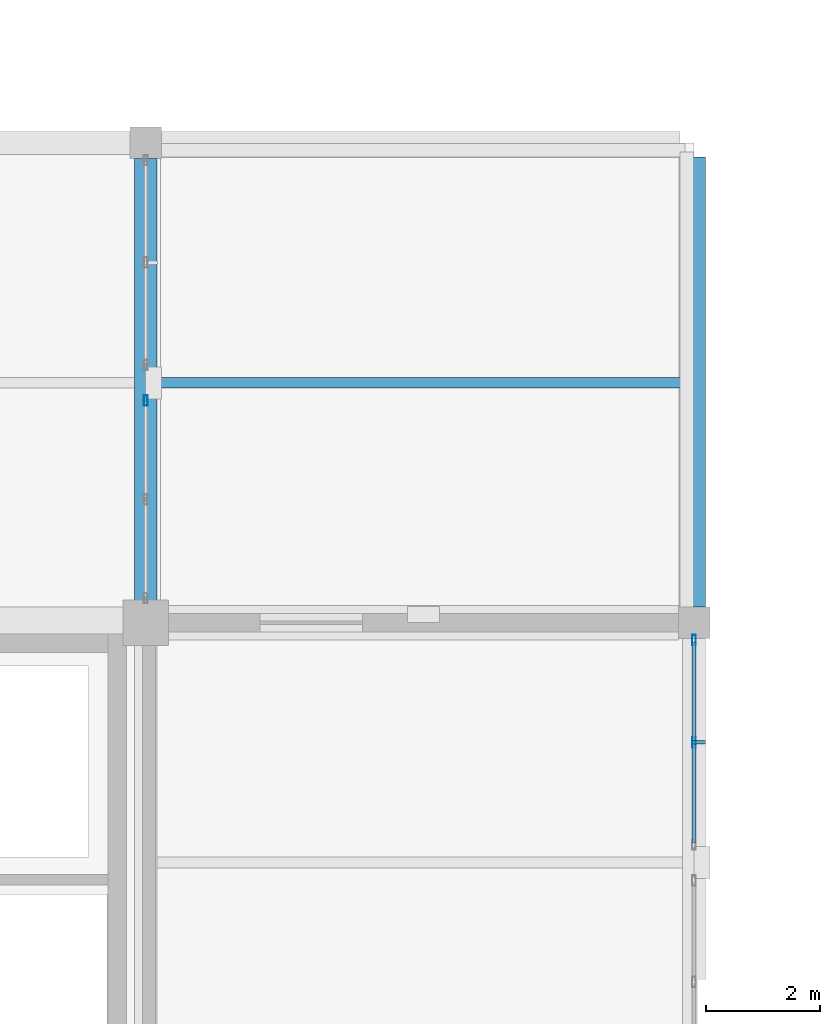
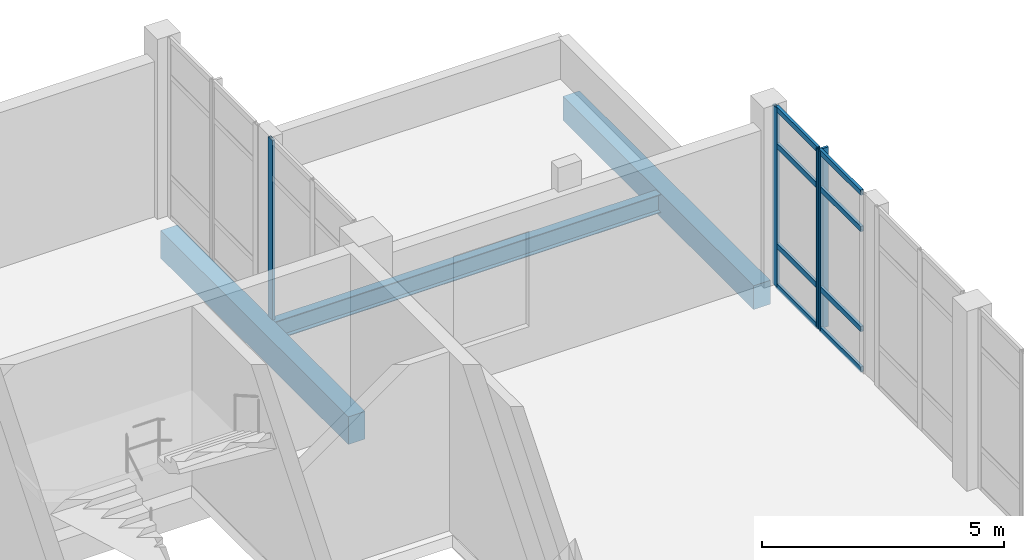
# One storey, part 71 of 102: 12 members, 3 beams, 2 elements without a shape of their own.
"""IFC4 building model written with IfcOpenShell, lengths in metres."""

from ifc_helpers import new_model, si_unit, direction, frame, origin, origin_2d, place, context, subcontext, project, spatial, rectangle, hollow_rectangle, i_section, extrude, material, layer, layer_set, material_profile, profile_set, type_object, element, aggregate, save


model = new_model("IFC4")

# Units and contexts
model_context = context("Model", 3, precision=1e-05, world=origin(), true_north=direction((0.0, 1.0)))
body_context = subcontext(model_context, "Body", "Model", "MODEL_VIEW")
ifc_project = project(units=[si_unit("LENGTHUNIT", "METRE"), si_unit("AREAUNIT", "SQUARE_METRE"), si_unit("VOLUMEUNIT", "CUBIC_METRE"), si_unit("PLANEANGLEUNIT", "RADIAN"), si_unit("MASSUNIT", "GRAM", prefix="KILO")], contexts=[model_context])

# Site, building, storey
site_placement = place(None, origin())
site = spatial("IfcSite", under=ifc_project, at=site_placement, CompositionType="ELEMENT")
building_placement = place(site_placement, origin())
building = spatial("IfcBuilding", under=site, at=building_placement, Name="Lornevale Opera House", CompositionType="ELEMENT")
storey_placement = place(building_placement, frame((0.0, 0.0, 5.39990234375)))
storey = spatial("IfcBuildingStorey", under=building, at=storey_placement, Name="L02", CompositionType="ELEMENT", Elevation=5.39990234375)

# Beams
ifc_material_1 = material(Name="Concrete 35 MPa (CSA A23.1 N)", Category="concrete")
ifc_material_profile_1 = material_profile(ifc_material_1, rectangle(XDim=0.39990234375, YDim=0.699951171875, at=origin_2d()), Name="RC400x700")
ifc_profile_set_1 = profile_set([ifc_material_profile_1], Name="Concrete 35 MPa (CSA A23.1 N)")
beam_type_1 = type_object("IfcBeamType", Name="Concrete Floor Beam 400x700", PredefinedType="USERDEFINED", material=ifc_profile_set_1)
beam_1_placement = place(storey_placement, frame((144.0, 75.97509765625, -0.64990234375), z_axis=(0.0, 1.0, 0.0), x_axis=(-1.0, 0.0, 0.0)))
element("IfcBeam", 1, at=beam_1_placement, inside=storey, type_object=beam_type_1, Name="Concrete Floor Beam 400x700 1968", ObjectType="GIRDER", PredefinedType="USERDEFINED", context=body_context, shape_type="SweptSolid", body=[
    extrude(rectangle(XDim=0.39990234375, YDim=0.699951171875, at=origin_2d()), origin(), (0.0, 0.0, 1.0), 7.75),
])
ifc_material_profile_2 = material_profile(ifc_material_1, rectangle(XDim=0.39990234375, YDim=0.60009765625, at=origin_2d()), Name="RC400x600")
ifc_profile_set_2 = profile_set([ifc_material_profile_2], Name="Concrete 35 MPa (CSA A23.1 N)")
beam_type_2 = type_object("IfcBeamType", Name="Concrete Spandrel Beam 400x600", PredefinedType="SPANDREL", material=ifc_profile_set_2)
beam_2_placement = place(storey_placement, frame((153.60009765625, 75.875, -0.599853515625), z_axis=(0.0, 1.0, 0.0), x_axis=(-1.0, 0.0, 0.0)))
element("IfcBeam", 2, at=beam_2_placement, inside=storey, type_object=beam_type_2, Name="Concrete Spandrel Beam 400x600 1977", PredefinedType="SPANDREL", context=body_context, shape_type="SweptSolid", body=[
    extrude(rectangle(XDim=0.39990234375, YDim=0.60009765625, at=origin_2d()), origin(), (0.0, 0.0, 1.0), 7.875),
])

# Curtain wall, member
ifc_material_2 = material(Name="Anodized Oxide-Green Aluminium Framing", Category="aluminium")
ifc_layer = layer(ifc_material_2, 0.179931640625)
ifc_layer_set = layer_set([ifc_layer], Name="Anodized Oxide-Green Aluminium Framing")
curtain_wall_type = type_object("IfcCurtainWallType", Name="Promenade Gallery Curtain Wall M1800", PredefinedType="NOTDEFINED", material=ifc_layer_set)
curtain_wall_1_placement = place(storey_placement, origin())
curtain_wall_1 = element("IfcCurtainWall", 3, at=curtain_wall_1_placement, inside=storey, type_object=curtain_wall_type, Name="Promenade Gallery Curtain Wall M1800 CW-079", PredefinedType="NOTDEFINED")
ifc_material_profile_3 = material_profile(ifc_material_2, hollow_rectangle(XDim=0.06494140625, YDim=0.179931640625, WallThickness=0.0048828125, at=origin_2d()), Name="ALU65x180x5")
ifc_profile_set_3 = profile_set([ifc_material_profile_3], Name="Anodized Oxide-Green Aluminium Framing")
member_type_1 = type_object("IfcMemberType", Name="Curtain Wall Mullion 65x180", PredefinedType="MULLION", material=ifc_profile_set_3)
member_1_placement = place(storey_placement, frame((144.0, 79.487548828125, 0.0), z_axis=(0.0, 0.0, 1.0), x_axis=(1.0, 0.0, 0.0)))
member_1 = element("IfcMember", 4, at=member_1_placement, type_object=member_type_1, Name="Curtain Wall Mullion 65x180 CW1599", PredefinedType="MULLION", context=body_context, shape_type="SweptSolid", body=[
    extrude(hollow_rectangle(XDim=0.06494140625, YDim=0.179931640625, WallThickness=0.0048828125, at=origin_2d()), origin(), (0.0, 0.0, 1.0), 4.52001953125),
])
aggregate(curtain_wall_1, [member_1])

# Curtain wall, members
curtain_wall_2_placement = place(storey_placement, origin())
curtain_wall_2 = element("IfcCurtainWall", 5, at=curtain_wall_2_placement, inside=storey, type_object=curtain_wall_type, Name="Promenade Gallery Curtain Wall M1800 CW-090", PredefinedType="NOTDEFINED")
member_2_placement = place(storey_placement, frame((153.60009765625, 75.29638671875, 0.0), z_axis=(0.0, 0.0, 1.0), x_axis=(1.0, 0.0, 0.0)))
member_2 = element("IfcMember", 6, at=member_2_placement, type_object=member_type_1, Name="Curtain Wall Mullion 65x180 CW1786", PredefinedType="MULLION", context=body_context, shape_type="SweptSolid", body=[
    extrude(hollow_rectangle(XDim=0.06494140625, YDim=0.179931640625, WallThickness=0.0048828125, at=origin_2d()), origin(), (0.0, 0.0, 1.0), 4.52001953125),
])
member_3_placement = place(storey_placement, frame((153.60009765625, 73.50439453125, 0.0), z_axis=(0.0, 0.0, 1.0), x_axis=(1.0, 0.0, 0.0)))
member_3 = element("IfcMember", 7, at=member_3_placement, type_object=member_type_1, Name="Curtain Wall Mullion 65x180 CW1787", PredefinedType="MULLION", context=body_context, shape_type="SweptSolid", body=[
    extrude(hollow_rectangle(XDim=0.06494140625, YDim=0.179931640625, WallThickness=0.0048828125, at=origin_2d()), origin(), (0.0, 0.0, 1.0), 4.52001953125),
])
ifc_material_profile_4 = material_profile(ifc_material_2, hollow_rectangle(XDim=0.06494140625, YDim=0.135009765625, WallThickness=0.00390625, at=origin_2d()), Name="ALU65x135x4")
ifc_profile_set_4 = profile_set([ifc_material_profile_4], Name="Anodized Oxide-Green Aluminium Framing")
member_type_2 = type_object("IfcMemberType", Name="Curtain Wall Transom 65x135", PredefinedType="USERDEFINED", material=ifc_profile_set_4)
member_4_placement = place(storey_placement, frame((153.60009765625, 75.263916015625, 0.03271484375), z_axis=(0.0, -1.0, 0.0), x_axis=(1.0, 0.0, 0.0)))
member_4 = element("IfcMember", 8, at=member_4_placement, type_object=member_type_2, Name="Curtain Wall Transom 65x135 CW1789", ObjectType="TRANSOM", PredefinedType="USERDEFINED", context=body_context, shape_type="SweptSolid", body=[
    extrude(hollow_rectangle(XDim=0.06494140625, YDim=0.135009765625, WallThickness=0.00390625, at=origin_2d()), origin(), (0.0, 0.0, 1.0), 1.726806640625),
])
member_5_placement = place(storey_placement, frame((153.60009765625, 75.263916015625, 1.050048828125), z_axis=(0.0, -1.0, 0.0), x_axis=(1.0, 0.0, 0.0)))
member_5 = element("IfcMember", 9, at=member_5_placement, type_object=member_type_2, Name="Curtain Wall Transom 65x135 CW1790", ObjectType="TRANSOM", PredefinedType="USERDEFINED", context=body_context, shape_type="SweptSolid", body=[
    extrude(hollow_rectangle(XDim=0.06494140625, YDim=0.135009765625, WallThickness=0.00390625, at=origin_2d()), origin(), (0.0, 0.0, 1.0), 1.726806640625),
])
member_6_placement = place(storey_placement, frame((153.60009765625, 75.263916015625, 3.570068359375), z_axis=(0.0, -1.0, 0.0), x_axis=(1.0, 0.0, 0.0)))
member_6 = element("IfcMember", 10, at=member_6_placement, type_object=member_type_2, Name="Curtain Wall Transom 65x135 CW1791", ObjectType="TRANSOM", PredefinedType="USERDEFINED", context=body_context, shape_type="SweptSolid", body=[
    extrude(hollow_rectangle(XDim=0.06494140625, YDim=0.135009765625, WallThickness=0.00390625, at=origin_2d()), origin(), (0.0, 0.0, 1.0), 1.726806640625),
])
member_7_placement = place(storey_placement, frame((153.60009765625, 75.263916015625, 4.487548828125), z_axis=(0.0, -1.0, 0.0), x_axis=(1.0, 0.0, 0.0)))
member_7 = element("IfcMember", 11, at=member_7_placement, type_object=member_type_2, Name="Curtain Wall Transom 65x135 CW1792", ObjectType="TRANSOM", PredefinedType="USERDEFINED", context=body_context, shape_type="SweptSolid", body=[
    extrude(hollow_rectangle(XDim=0.06494140625, YDim=0.135009765625, WallThickness=0.00390625, at=origin_2d()), origin(), (0.0, 0.0, 1.0), 1.726806640625),
])
member_8_placement = place(storey_placement, frame((153.60009765625, 73.471923828125, 0.03271484375), z_axis=(0.0, -1.0, 0.0), x_axis=(1.0, 0.0, 0.0)))
member_8 = element("IfcMember", 12, at=member_8_placement, type_object=member_type_2, Name="Curtain Wall Transom 65x135 CW1796", ObjectType="TRANSOM", PredefinedType="USERDEFINED", context=body_context, shape_type="SweptSolid", body=[
    extrude(hollow_rectangle(XDim=0.06494140625, YDim=0.135009765625, WallThickness=0.00390625, at=origin_2d()), origin(), (0.0, 0.0, 1.0), 1.726806640625),
])
member_9_placement = place(storey_placement, frame((153.60009765625, 73.471923828125, 1.050048828125), z_axis=(0.0, -1.0, 0.0), x_axis=(1.0, 0.0, 0.0)))
member_9 = element("IfcMember", 13, at=member_9_placement, type_object=member_type_2, Name="Curtain Wall Transom 65x135 CW1797", ObjectType="TRANSOM", PredefinedType="USERDEFINED", context=body_context, shape_type="SweptSolid", body=[
    extrude(hollow_rectangle(XDim=0.06494140625, YDim=0.135009765625, WallThickness=0.00390625, at=origin_2d()), origin(), (0.0, 0.0, 1.0), 1.726806640625),
])
member_10_placement = place(storey_placement, frame((153.60009765625, 73.471923828125, 3.570068359375), z_axis=(0.0, -1.0, 0.0), x_axis=(1.0, 0.0, 0.0)))
member_10 = element("IfcMember", 14, at=member_10_placement, type_object=member_type_2, Name="Curtain Wall Transom 65x135 CW1798", ObjectType="TRANSOM", PredefinedType="USERDEFINED", context=body_context, shape_type="SweptSolid", body=[
    extrude(hollow_rectangle(XDim=0.06494140625, YDim=0.135009765625, WallThickness=0.00390625, at=origin_2d()), origin(), (0.0, 0.0, 1.0), 1.726806640625),
])
member_11_placement = place(storey_placement, frame((153.60009765625, 73.471923828125, 4.487548828125), z_axis=(0.0, -1.0, 0.0), x_axis=(1.0, 0.0, 0.0)))
member_11 = element("IfcMember", 15, at=member_11_placement, type_object=member_type_2, Name="Curtain Wall Transom 65x135 CW1799", ObjectType="TRANSOM", PredefinedType="USERDEFINED", context=body_context, shape_type="SweptSolid", body=[
    extrude(hollow_rectangle(XDim=0.06494140625, YDim=0.135009765625, WallThickness=0.00390625, at=origin_2d()), origin(), (0.0, 0.0, 1.0), 1.726806640625),
])
ifc_material_3 = material(Name="Architectural Bronze Solar Louvre Alloy", Category="metal")
ifc_material_profile_5 = material_profile(ifc_material_3, rectangle(XDim=0.06005859375, YDim=0.239990234375, at=origin_2d()), Name="FIN60x240")
ifc_profile_set_5 = profile_set([ifc_material_profile_5], Name="Architectural Bronze Solar Louvre Alloy")
member_type_3 = type_object("IfcMemberType", Name="Solar Shading Fin 60x240", PredefinedType="USERDEFINED", material=ifc_profile_set_5)
member_12_placement = place(storey_placement, frame((153.68408203125, 73.50439453125, 0.0), z_axis=(0.0, 0.0, 1.0), x_axis=(0.0, -1.0, 0.0)))
member_12 = element("IfcMember", 16, at=member_12_placement, type_object=member_type_3, Name="Solar Shading Fin 60x240 FIN0040", ObjectType="SOLAR FIN", PredefinedType="USERDEFINED", context=body_context, shape_type="SweptSolid", body=[
    extrude(rectangle(XDim=0.06005859375, YDim=0.239990234375, at=origin_2d()), origin(), (0.0, 0.0, 1.0), 4.52001953125),
])
aggregate(curtain_wall_2, [member_2, member_3, member_4, member_5, member_6, member_7, member_8, member_9, member_10, member_11, member_12])

# Beam
ifc_material_4 = material(Name="Structural Steel CSA G40.21 Grade 350W (350 MPa)", Category="steel")
ifc_material_profile_6 = material_profile(ifc_material_4, i_section(OverallWidth=0.19189453125, OverallDepth=0.462890625, WebThickness=0.010498046875, FlangeThickness=0.017578125, at=origin_2d()), Name="W460x89")
ifc_profile_set_6 = profile_set([ifc_material_profile_6], Name="Structural Steel CSA G40.21 Grade 350W (350 MPa)")
beam_type_3 = type_object("IfcBeamType", Name="Steel Floor Joist W460x89", PredefinedType="JOIST", material=ifc_profile_set_6)
beam_3_placement = place(storey_placement, frame((144.199951171875, 79.800048828125, -0.54638671875), z_axis=(1.0, 0.0, 0.0), x_axis=(0.0, 1.0, 0.0)))
element("IfcBeam", 17, at=beam_3_placement, inside=storey, type_object=beam_type_3, Name="Steel Floor Joist W460x89 2080", PredefinedType="JOIST", context=body_context, shape_type="SweptSolid", body=[
    extrude(i_section(OverallWidth=0.19189453125, OverallDepth=0.462890625, WebThickness=0.010498046875, FlangeThickness=0.017578125, at=origin_2d()), origin(), (0.0, 0.0, 1.0), 9.199951171875),
])

save(model, "model.ifc")
